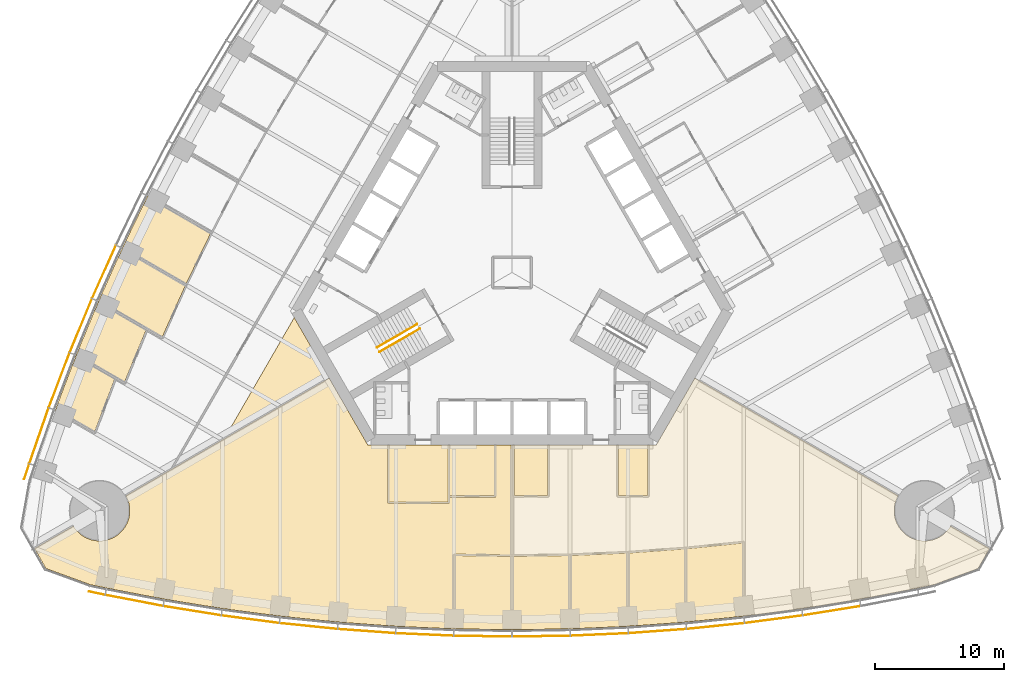
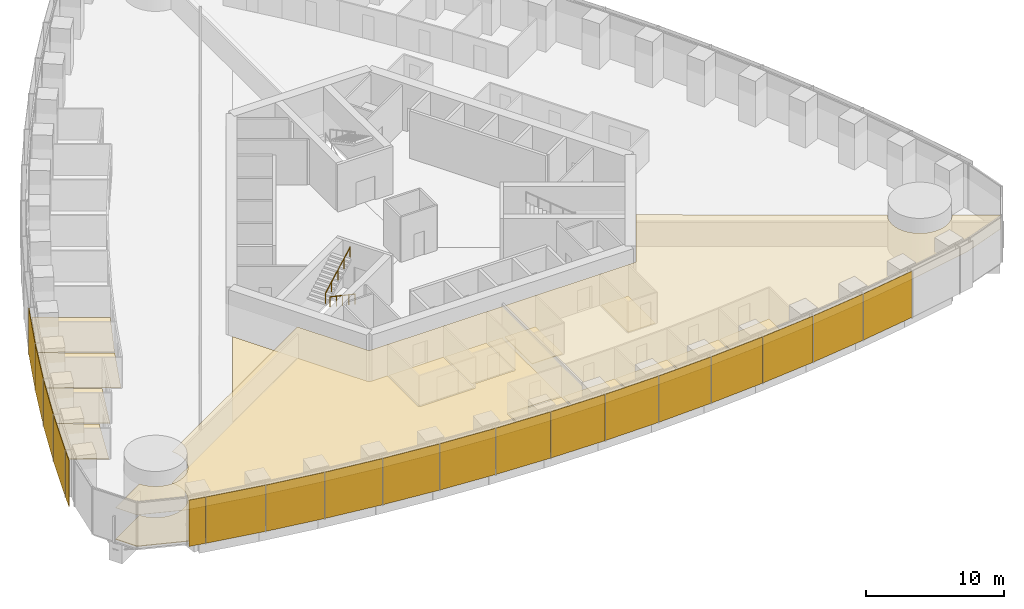
# One storey, part 14 of 18: 19 shading devices, 16 coverings, 2 railings.
"""IFC4 building model written with IfcOpenShell, lengths in metres."""

from ifc_helpers import new_model, si_unit, direction, frame, origin, origin_2d, place, context, subcontext, project, spatial, polyline, rectangle, circle, outline, extrude, material, layer, layer_set, type_object, element, save


model = new_model("IFC4")

# Units and contexts
model_context = context("Model", 3, precision=1e-05, world=origin(), true_north=direction((0.0, 1.0)))
body_context = subcontext(model_context, "Body", "Model", "MODEL_VIEW")
ifc_project = project(units=[si_unit("LENGTHUNIT", "METRE"), si_unit("AREAUNIT", "SQUARE_METRE"), si_unit("VOLUMEUNIT", "CUBIC_METRE"), si_unit("PLANEANGLEUNIT", "RADIAN"), si_unit("MASSUNIT", "GRAM", prefix="KILO")], contexts=[model_context])

# Site, building, storey
site_placement = place(None, origin())
site = spatial("IfcSite", under=ifc_project, at=site_placement, CompositionType="ELEMENT")
building_placement = place(site_placement, origin())
building = spatial("IfcBuilding", under=site, at=building_placement, Name="Trefoil Bronze Tower", CompositionType="ELEMENT")
storey_placement = place(building_placement, frame((0.0, 0.0, 24.89990234375)))
storey = spatial("IfcBuildingStorey", under=building, at=storey_placement, Name="L05", CompositionType="ELEMENT", Elevation=24.89990234375)

# Shading devices
ifc_material_1 = material(Name="Perforated bronze sheet", Category="bronze")
ifc_layer_1 = layer(ifc_material_1, 0.0400390625)
ifc_layer_set_1 = layer_set([ifc_layer_1], Name="Bronze solar screen panel")
shading_device_type = type_object("IfcShadingDeviceType", Name="Bronze solar screen panel", PredefinedType="SHUTTER", material=ifc_layer_set_1)
shading_device_1_placement = place(storey_placement, frame((-32.2431640625, -24.91064453125, 0.050048828125), z_axis=(0.0, 0.0, 1.0), x_axis=(0.978302717041, -0.207180582657, 0.0)))
element("IfcShadingDevice", 1, at=shading_device_1_placement, inside=storey, type_object=shading_device_type, Name="Solar screen CW-A L05 F1 bay 1", PredefinedType="SHUTTER", context=body_context, shape_type="SweptSolid", body=[
    extrude(rectangle(XDim=1.260498046875, YDim=0.0400390625, at=origin_2d()), origin(), (0.0, 0.0, 1.0), 4.10009765625),
])
shading_device_2_placement = place(storey_placement, frame((-29.351806640625, -25.478515625, 0.050048828125), z_axis=(0.0, 0.0, 1.0), x_axis=(0.982049823817, -0.188621694249, 0.0)))
element("IfcShadingDevice", 2, at=shading_device_2_placement, inside=storey, type_object=shading_device_type, Name="Solar screen CW-A L05 F1 bay 2", PredefinedType="SHUTTER", context=body_context, shape_type="SweptSolid", body=[
    extrude(rectangle(XDim=4.55224609375, YDim=0.0400390625, at=origin_2d()), origin(), (0.0, 0.0, 1.0), 4.10009765625),
])
shading_device_3_placement = place(storey_placement, frame((-24.836181640625, -26.277099609375, 0.050048828125), z_axis=(0.0, 0.0, 1.0), x_axis=(0.987181315145, -0.159602791421, 0.0)))
element("IfcShadingDevice", 3, at=shading_device_3_placement, inside=storey, type_object=shading_device_type, Name="Solar screen CW-A L05 F1 bay 3", PredefinedType="SHUTTER", context=body_context, shape_type="SweptSolid", body=[
    extrude(rectangle(XDim=4.5283203125, YDim=0.0400390625, at=origin_2d()), origin(), (0.0, 0.0, 1.0), 4.10009765625),
])
shading_device_4_placement = place(storey_placement, frame((-20.320556640625, -26.939697265625, 0.050048828125), z_axis=(0.0, 0.0, 1.0), x_axis=(0.991437251591, -0.130583981243, 0.0)))
element("IfcShadingDevice", 4, at=shading_device_4_placement, inside=storey, type_object=shading_device_type, Name="Solar screen CW-A L05 F1 bay 4", PredefinedType="SHUTTER", context=body_context, shape_type="SweptSolid", body=[
    extrude(rectangle(XDim=4.5087890625, YDim=0.0400390625, at=origin_2d()), origin(), (0.0, 0.0, 1.0), 4.10009765625),
])
shading_device_5_placement = place(storey_placement, frame((-15.804931640625, -27.467529296875, 0.050048828125), z_axis=(0.0, 0.0, 1.0), x_axis=(0.994828880293, -0.101565244717, 0.0)))
element("IfcShadingDevice", 5, at=shading_device_5_placement, inside=storey, type_object=shading_device_type, Name="Solar screen CW-A L05 F1 bay 5", PredefinedType="SHUTTER", context=body_context, shape_type="SweptSolid", body=[
    extrude(rectangle(XDim=4.493408203125, YDim=0.0400390625, at=origin_2d()), origin(), (0.0, 0.0, 1.0), 4.10009765625),
])
shading_device_6_placement = place(storey_placement, frame((-11.2890625, -27.8623046875, 0.050048828125), z_axis=(0.0, 0.0, 1.0), x_axis=(0.99736502647, -0.072546564177, 0.0)))
element("IfcShadingDevice", 6, at=shading_device_6_placement, inside=storey, type_object=shading_device_type, Name="Solar screen CW-A L05 F1 bay 6", PredefinedType="SHUTTER", context=body_context, shape_type="SweptSolid", body=[
    extrude(rectangle(XDim=4.48193359375, YDim=0.0400390625, at=origin_2d()), origin(), (0.0, 0.0, 1.0), 4.10009765625),
])
shading_device_7_placement = place(storey_placement, frame((-6.7734375, -28.124755859375, 0.050048828125), z_axis=(0.0, 0.0, 1.0), x_axis=(0.999052210809, -0.043527922969, 0.0)))
element("IfcShadingDevice", 7, at=shading_device_7_placement, inside=storey, type_object=shading_device_type, Name="Solar screen CW-A L05 F1 bay 7", PredefinedType="SHUTTER", context=body_context, shape_type="SweptSolid", body=[
    extrude(rectangle(XDim=4.474365234375, YDim=0.0400390625, at=origin_2d()), origin(), (0.0, 0.0, 1.0), 4.10009765625),
])
for number, where, z_axis, x_axis, name in (
    (8, (-2.2578125, -28.256103515625, 0.050048828125), (0.0, 0.0, 1.0), (0.999894734493, -0.014509305083, 0.0), "Solar screen CW-A L05 F1 bay 8"),
    (9, (2.2578125, -28.256103515625, 0.050048828125), (0.0, 0.0, 1.0), (0.999894734493, 0.014509305083, 0.0), "Solar screen CW-A L05 F1 bay 9"),
):
    element("IfcShadingDevice", number, at=place(storey_placement, frame(where, z_axis=z_axis, x_axis=x_axis)), inside=storey, type_object=shading_device_type, Name=name, PredefinedType="SHUTTER", context=body_context, shape_type="SweptSolid", body=[
        extrude(rectangle(XDim=4.470458984375, YDim=0.0400390625, at=origin_2d()), origin(), (0.0, 0.0, 1.0), 4.10009765625),
    ])
shading_device_8_placement = place(storey_placement, frame((6.7734375, -28.124755859375, 0.050048828125), z_axis=(0.0, 0.0, 1.0), x_axis=(0.999052210809, 0.043527922969, 0.0)))
element("IfcShadingDevice", 10, at=shading_device_8_placement, inside=storey, type_object=shading_device_type, Name="Solar screen CW-A L05 F1 bay 10", PredefinedType="SHUTTER", context=body_context, shape_type="SweptSolid", body=[
    extrude(rectangle(XDim=4.474365234375, YDim=0.0400390625, at=origin_2d()), origin(), (0.0, 0.0, 1.0), 4.10009765625),
])
shading_device_9_placement = place(storey_placement, frame((11.2890625, -27.8623046875, 0.050048828125), z_axis=(0.0, 0.0, 1.0), x_axis=(0.99736502647, 0.072546564177, 0.0)))
element("IfcShadingDevice", 11, at=shading_device_9_placement, inside=storey, type_object=shading_device_type, Name="Solar screen CW-A L05 F1 bay 11", PredefinedType="SHUTTER", context=body_context, shape_type="SweptSolid", body=[
    extrude(rectangle(XDim=4.48193359375, YDim=0.0400390625, at=origin_2d()), origin(), (0.0, 0.0, 1.0), 4.10009765625),
])
shading_device_10_placement = place(storey_placement, frame((15.804931640625, -27.467529296875, 0.050048828125), z_axis=(0.0, 0.0, 1.0), x_axis=(0.994828880293, 0.101565244717, 0.0)))
element("IfcShadingDevice", 12, at=shading_device_10_placement, inside=storey, type_object=shading_device_type, Name="Solar screen CW-A L05 F1 bay 12", PredefinedType="SHUTTER", context=body_context, shape_type="SweptSolid", body=[
    extrude(rectangle(XDim=4.493408203125, YDim=0.0400390625, at=origin_2d()), origin(), (0.0, 0.0, 1.0), 4.10009765625),
])
shading_device_11_placement = place(storey_placement, frame((20.320556640625, -26.939697265625, 0.050048828125), z_axis=(0.0, 0.0, 1.0), x_axis=(0.991437251591, 0.130583981243, 0.0)))
element("IfcShadingDevice", 13, at=shading_device_11_placement, inside=storey, type_object=shading_device_type, Name="Solar screen CW-A L05 F1 bay 13", PredefinedType="SHUTTER", context=body_context, shape_type="SweptSolid", body=[
    extrude(rectangle(XDim=4.5087890625, YDim=0.0400390625, at=origin_2d()), origin(), (0.0, 0.0, 1.0), 4.10009765625),
])
shading_device_12_placement = place(storey_placement, frame((24.836181640625, -26.277099609375, 0.050048828125), z_axis=(0.0, 0.0, 1.0), x_axis=(0.987181315145, 0.159602791421, 0.0)))
element("IfcShadingDevice", 14, at=shading_device_12_placement, inside=storey, type_object=shading_device_type, Name="Solar screen CW-A L05 F1 bay 14", PredefinedType="SHUTTER", context=body_context, shape_type="SweptSolid", body=[
    extrude(rectangle(XDim=4.5283203125, YDim=0.0400390625, at=origin_2d()), origin(), (0.0, 0.0, 1.0), 4.10009765625),
])
shading_device_13_placement = place(storey_placement, frame((-31.68994140625, 0.04638671875, 0.050048828125), z_axis=(0.0, 0.0, 1.0), x_axis=(-0.40945635808, -0.912329705111, 0.0)))
element("IfcShadingDevice", 15, at=shading_device_13_placement, inside=storey, type_object=shading_device_type, Name="Solar screen CW-A L05 F3 bay 12", PredefinedType="SHUTTER", context=body_context, shape_type="SweptSolid", body=[
    extrude(rectangle(XDim=4.493408203125, YDim=0.0400390625, at=origin_2d()), origin(), (0.0, 0.0, 1.0), 4.10009765625),
])
shading_device_14_placement = place(storey_placement, frame((-33.49072265625, -4.128173828125, 0.050048828125), z_axis=(0.0, 0.0, 1.0), x_axis=(-0.382629580712, -0.923901836758, 0.0)))
element("IfcShadingDevice", 16, at=shading_device_14_placement, inside=storey, type_object=shading_device_type, Name="Solar screen CW-A L05 F3 bay 13", PredefinedType="SHUTTER", context=body_context, shape_type="SweptSolid", body=[
    extrude(rectangle(XDim=4.5087890625, YDim=0.0400390625, at=origin_2d()), origin(), (0.0, 0.0, 1.0), 4.10009765625),
])
shading_device_15_placement = place(storey_placement, frame((-35.1748046875, -8.3701171875, 0.050048828125), z_axis=(0.0, 0.0, 1.0), x_axis=(-0.355370585687, -0.934725492767, 0.0)))
element("IfcShadingDevice", 17, at=shading_device_15_placement, inside=storey, type_object=shading_device_type, Name="Solar screen CW-A L05 F3 bay 14", PredefinedType="SHUTTER", context=body_context, shape_type="SweptSolid", body=[
    extrude(rectangle(XDim=4.5283203125, YDim=0.0400390625, at=origin_2d()), origin(), (0.0, 0.0, 1.0), 4.10009765625),
])
shading_device_16_placement = place(storey_placement, frame((-36.740966796875, -12.68017578125, 0.050048828125), z_axis=(0.0, 0.0, 1.0), x_axis=(-0.327673732984, -0.944790942332, 0.0)))
element("IfcShadingDevice", 18, at=shading_device_16_placement, inside=storey, type_object=shading_device_type, Name="Solar screen CW-A L05 F3 bay 15", PredefinedType="SHUTTER", context=body_context, shape_type="SweptSolid", body=[
    extrude(rectangle(XDim=4.55224609375, YDim=0.0400390625, at=origin_2d()), origin(), (0.0, 0.0, 1.0), 4.10009765625),
])
shading_device_17_placement = place(storey_placement, frame((-37.69482421875, -15.468017578125, 0.050048828125), z_axis=(0.0, 0.0, 1.0), x_axis=(-0.309727710769, -0.950825296877, 0.0)))
element("IfcShadingDevice", 19, at=shading_device_17_placement, inside=storey, type_object=shading_device_type, Name="Solar screen CW-A L05 F3 bay 16", PredefinedType="SHUTTER", context=body_context, shape_type="SweptSolid", body=[
    extrude(rectangle(XDim=1.260498046875, YDim=0.0400390625, at=origin_2d()), origin(), (0.0, 0.0, 1.0), 4.10009765625),
])

# Railings
ifc_material_2 = material(Name="Steel handrail", Category="steel")
railing_type = type_object("IfcRailingType", Name="Handrail 900", PredefinedType="HANDRAIL", material=ifc_material_2)
railing_1_placement = place(storey_placement, frame((-7.166015625, -4.3681640625, 0.16162109375)))
element("IfcRailing", 20, at=railing_1_placement, inside=storey, type_object=railing_type, Name="Handrail ST3 flight 1 L05", PredefinedType="HANDRAIL", context=body_context, shape_type="SweptSolid", body=[
    extrude(circle(Radius=0.02392578125, at=origin_2d()), frame((0.0, 0.0, 0.8759765625), z_axis=(-0.76250339821, -0.440245697338, 0.474101564745), x_axis=(0.500012057535, -0.866018442252, 0.0)), (0.0, 0.0, 1.0), 4.088623046875),
    extrude(circle(Radius=0.02099609375, at=origin_2d()), origin(), (0.0, 0.0, 1.0), 0.851806640625),
    extrude(circle(Radius=0.02099609375, at=origin_2d()), frame((-0.779296875, -0.449951171875, 0.484619140625)), (0.0, 0.0, 1.0), 0.851806640625),
    extrude(circle(Radius=0.02099609375, at=origin_2d()), frame((-1.558837890625, -0.89990234375, 0.96923828125)), (0.0, 0.0, 1.0), 0.851806640625),
    extrude(circle(Radius=0.02099609375, at=origin_2d()), frame((-2.33837890625, -1.35009765625, 1.453857421875)), (0.0, 0.0, 1.0), 0.851806640625),
    extrude(circle(Radius=0.02099609375, at=origin_2d()), frame((-3.11767578125, -1.800048828125, 1.9384765625)), (0.0, 0.0, 1.0), 0.851806640625),
])
railing_2_placement = place(storey_placement, frame((-10.483642578125, -5.82177734375, 2.26171875)))
element("IfcRailing", 21, at=railing_2_placement, inside=storey, type_object=railing_type, Name="Handrail ST3 flight 2 L05", PredefinedType="HANDRAIL", context=body_context, shape_type="SweptSolid", body=[
    extrude(circle(Radius=0.02392578125, at=origin_2d()), frame((0.0, 0.0, 0.8759765625), z_axis=(0.76250339821, 0.440245697338, 0.474101564745), x_axis=(-0.500012057535, 0.866018442252, 0.0)), (0.0, 0.0, 1.0), 4.088623046875),
    extrude(circle(Radius=0.02099609375, at=origin_2d()), origin(), (0.0, 0.0, 1.0), 0.851806640625),
    extrude(circle(Radius=0.02099609375, at=origin_2d()), frame((0.779296875, 0.449951171875, 0.484619140625)), (0.0, 0.0, 1.0), 0.851806640625),
    extrude(circle(Radius=0.02099609375, at=origin_2d()), frame((1.558837890625, 0.89990234375, 0.96923828125)), (0.0, 0.0, 1.0), 0.851806640625),
    extrude(circle(Radius=0.02099609375, at=origin_2d()), frame((2.33837890625, 1.35009765625, 1.453857421875)), (0.0, 0.0, 1.0), 0.851806640625),
    extrude(circle(Radius=0.02099609375, at=origin_2d()), frame((3.11767578125, 1.800048828125, 1.9384765625)), (0.0, 0.0, 1.0), 0.851806640625),
])

# Coverings
ifc_material_3 = material(Name="Acoustic ceiling panels", Category="mineral fibre")
ifc_layer_2 = layer(ifc_material_3, 0.02001953125)
ifc_layer_set_2 = layer_set([ifc_layer_2], Name="Office ceiling 20")
covering_type_1 = type_object("IfcCoveringType", Name="Office ceiling 20", PredefinedType="CEILING", material=ifc_layer_set_2)
covering_1_placement = place(storey_placement, frame((0.0, 0.0, 2.900146484375)))
element("IfcCovering", 22, at=covering_1_placement, inside=storey, type_object=covering_type_1, Name="Ceiling L05 Open-plan office F1", PredefinedType="CEILING", context=body_context, shape_type="SweptSolid", body=[
    extrude(outline(polyline([(-33.996826171875, -19.8056640625), (-33.930419921875, -19.89990234375), (-33.859619140625, -19.99072265625), (-33.7841796875, -20.078125), (-33.70458984375, -20.16162109375), (-33.62109375, -20.2412109375), (-33.53369140625, -20.316650390625), (-33.44287109375, -20.387451171875), (-33.348388671875, -20.4541015625), (-33.251220703125, -20.515625), (-33.150634765625, -20.572509765625), (-33.047607421875, -20.62451171875), (-32.942138671875, -20.671142578125), (-32.834716796875, -20.712646484375), (-32.72509765625, -20.748779296875), (-32.614013671875, -20.779541015625), (-32.50146484375, -20.8046875), (-32.3876953125, -20.82470703125), (-32.273193359375, -20.838623046875), (-32.158203125, -20.84716796875), (-32.04296875, -20.85009765625), (-31.927490234375, -20.84716796875), (-31.8125, -20.838623046875), (-31.697998046875, -20.82470703125), (-31.58447265625, -20.8046875), (-31.471923828125, -20.779541015625), (-31.36083984375, -20.748779296875), (-31.251220703125, -20.712646484375), (-31.1435546875, -20.671142578125), (-31.0380859375, -20.62451171875), (-30.935302734375, -20.572509765625), (-30.834716796875, -20.515625), (-30.7373046875, -20.4541015625), (-30.64306640625, -20.387451171875), (-30.552001953125, -20.316650390625), (-30.46484375, -20.2412109375), (-30.381103515625, -20.16162109375), (-30.3017578125, -20.078125), (-30.226318359375, -19.99072265625), (-30.155517578125, -19.89990234375), (-30.089111328125, -19.8056640625), (-30.02734375, -19.7080078125), (-29.970458984375, -19.60791015625), (-29.918701171875, -19.5048828125), (-29.871826171875, -19.3994140625), (-29.830322265625, -19.291748046875), (-29.794189453125, -19.18212890625), (-29.763427734375, -19.071044921875), (-29.738037109375, -18.95849609375), (-29.718505859375, -18.8447265625), (-29.704345703125, -18.730224609375), (-29.69580078125, -18.615234375), (-29.69287109375, -18.5), (-29.69580078125, -18.384765625), (-29.704345703125, -18.269775390625), (-29.718505859375, -18.1552734375), (-29.738037109375, -18.04150390625), (-29.763427734375, -17.928955078125), (-29.794189453125, -17.81787109375), (-29.830322265625, -17.708251953125), (-29.871826171875, -17.6005859375), (-29.918701171875, -17.4951171875), (-29.970458984375, -17.39208984375), (-30.001953125, -17.336669921875), (-14.19970703125, -8.205322265625), (-11.20068359375, -13.39990234375), (11.20068359375, -13.39990234375), (14.19970703125, -8.205322265625), (30.001953125, -17.336669921875), (29.970458984375, -17.39208984375), (29.918701171875, -17.4951171875), (29.871826171875, -17.6005859375), (29.830322265625, -17.708251953125), (29.794189453125, -17.81787109375), (29.763427734375, -17.928955078125), (29.738037109375, -18.04150390625), (29.718505859375, -18.1552734375), (29.704345703125, -18.269775390625), (29.69580078125, -18.384765625), (29.69287109375, -18.5), (29.69580078125, -18.615234375), (29.704345703125, -18.730224609375), (29.718505859375, -18.8447265625), (29.738037109375, -18.95849609375), (29.763427734375, -19.071044921875), (29.794189453125, -19.18212890625), (29.830322265625, -19.291748046875), (29.871826171875, -19.3994140625), (29.918701171875, -19.5048828125), (29.970458984375, -19.60791015625), (30.02734375, -19.7080078125), (30.089111328125, -19.8056640625), (30.155517578125, -19.89990234375), (30.226318359375, -19.99072265625), (30.3017578125, -20.078125), (30.381103515625, -20.16162109375), (30.46484375, -20.2412109375), (30.552001953125, -20.316650390625), (30.64306640625, -20.387451171875), (30.7373046875, -20.4541015625), (30.834716796875, -20.515625), (30.935302734375, -20.572509765625), (31.0380859375, -20.62451171875), (31.1435546875, -20.671142578125), (31.251220703125, -20.712646484375), (31.36083984375, -20.748779296875), (31.471923828125, -20.779541015625), (31.58447265625, -20.8046875), (31.697998046875, -20.82470703125), (31.8125, -20.838623046875), (31.927490234375, -20.84716796875), (32.04296875, -20.85009765625), (32.158203125, -20.84716796875), (32.273193359375, -20.838623046875), (32.3876953125, -20.82470703125), (32.50146484375, -20.8046875), (32.614013671875, -20.779541015625), (32.72509765625, -20.748779296875), (32.834716796875, -20.712646484375), (32.942138671875, -20.671142578125), (33.047607421875, -20.62451171875), (33.150634765625, -20.572509765625), (33.251220703125, -20.515625), (33.348388671875, -20.4541015625), (33.44287109375, -20.387451171875), (33.53369140625, -20.316650390625), (33.62109375, -20.2412109375), (33.70458984375, -20.16162109375), (33.7841796875, -20.078125), (33.859619140625, -19.99072265625), (33.930419921875, -19.89990234375), (33.996826171875, -19.8056640625), (34.0703125, -19.6875), (37.094482421875, -21.43505859375), (36.190673828125, -23.0009765625), (32.762451171875, -24.248779296875), (31.5, -24.51611328125), (27.0, -25.38037109375), (22.5, -26.10791015625), (18.0, -26.70068359375), (13.5, -27.159912109375), (9.0, -27.4873046875), (4.5, -27.683349609375), (0.0, -27.748779296875), (-4.5, -27.683349609375), (-9.0, -27.4873046875), (-13.5, -27.159912109375), (-18.0, -26.70068359375), (-22.5, -26.10791015625), (-27.0, -25.38037109375), (-31.5, -24.51611328125), (-32.762451171875, -24.248779296875), (-36.190673828125, -23.0009765625), (-37.094482421875, -21.43505859375), (-34.0703125, -19.6875), (-33.996826171875, -19.8056640625)])), origin(), (0.0, 0.0, 1.0), 0.02001953125),
])
ifc_material_4 = material(Name="Raised access floor panels", Category="steel")
ifc_layer_3 = layer(ifc_material_4, 0.050048828125)
ifc_layer_set_3 = layer_set([ifc_layer_3], Name="Raised access floor 150")
covering_type_2 = type_object("IfcCoveringType", Name="Raised access floor 150", PredefinedType="FLOORING", material=ifc_layer_set_3)
covering_2_placement = place(storey_placement, frame((0.0, 0.0, 0.10009765625)))
element("IfcCovering", 23, at=covering_2_placement, inside=storey, type_object=covering_type_2, Name="Raised floor L05 Reception F1", PredefinedType="FLOORING", context=body_context, shape_type="SweptSolid", body=[
    extrude(outline(polyline([(-4.9599609375, -13.39990234375), (-4.9599609375, -17.840087890625), (-9.5400390625, -17.840087890625), (-9.5400390625, -13.39990234375), (-4.9599609375, -13.39990234375)])), origin(), (0.0, 0.0, 1.0), 0.050048828125),
])
covering_3_placement = place(storey_placement, frame((0.0, 0.0, 0.10009765625)))
element("IfcCovering", 24, at=covering_3_placement, inside=storey, type_object=covering_type_2, Name="Raised floor L05 Meeting room F1", PredefinedType="FLOORING", context=body_context, shape_type="SweptSolid", body=[
    extrude(outline(polyline([(-1.360107421875, -13.39990234375), (-1.360107421875, -17.340087890625), (-4.840087890625, -17.340087890625), (-4.840087890625, -13.39990234375), (-1.360107421875, -13.39990234375)])), origin(), (0.0, 0.0, 1.0), 0.050048828125),
])
covering_4_placement = place(storey_placement, frame((0.0, 0.0, 0.10009765625)))
element("IfcCovering", 25, at=covering_4_placement, inside=storey, type_object=covering_type_2, Name="Raised floor L05 Pantry F1", PredefinedType="FLOORING", context=body_context, shape_type="SweptSolid", body=[
    extrude(outline(polyline([(2.764892578125, -13.39990234375), (2.764892578125, -17.340087890625), (0.18505859375, -17.340087890625), (0.18505859375, -13.39990234375), (2.764892578125, -13.39990234375)])), origin(), (0.0, 0.0, 1.0), 0.050048828125),
])
covering_5_placement = place(storey_placement, frame((0.0, 0.0, 0.10009765625)))
element("IfcCovering", 26, at=covering_5_placement, inside=storey, type_object=covering_type_2, Name="Raised floor L05 Comms room F1", PredefinedType="FLOORING", context=body_context, shape_type="SweptSolid", body=[
    extrude(outline(polyline([(10.5400390625, -13.39990234375), (10.5400390625, -17.340087890625), (8.260009765625, -17.340087890625), (8.260009765625, -13.39990234375), (10.5400390625, -13.39990234375)])), origin(), (0.0, 0.0, 1.0), 0.050048828125),
])
covering_6_placement = place(storey_placement, frame((0.0, 0.0, 0.10009765625)))
element("IfcCovering", 27, at=covering_6_placement, inside=storey, type_object=covering_type_2, Name="Raised floor L05 Office F1", PredefinedType="FLOORING", context=body_context, shape_type="SweptSolid", body=[
    extrude(outline(polyline([(0.0, -27.748779296875), (-4.5, -27.683349609375), (-4.5, -26.102783203125), (-4.43994140625, -26.102783203125), (-4.43994140625, -21.994384765625), (-0.074951171875, -22.0576171875), (-0.074951171875, -26.168701171875), (0.0, -26.168701171875), (0.0, -27.748779296875)])), origin(), (0.0, 0.0, 1.0), 0.050048828125),
])
covering_7_placement = place(storey_placement, frame((0.0, 0.0, 0.10009765625)))
element("IfcCovering", 28, at=covering_7_placement, inside=storey, type_object=covering_type_2, Name="Raised floor L05 Office F1", PredefinedType="FLOORING", context=body_context, shape_type="SweptSolid", body=[
    extrude(outline(polyline([(4.5, -27.683349609375), (0.0, -27.748779296875), (0.0, -26.168701171875), (0.074951171875, -26.168701171875), (0.074951171875, -22.0576171875), (4.43994140625, -21.994384765625), (4.43994140625, -26.102783203125), (4.5, -26.102783203125), (4.5, -27.683349609375)])), origin(), (0.0, 0.0, 1.0), 0.050048828125),
])
covering_8_placement = place(storey_placement, frame((0.0, 0.0, 0.10009765625)))
element("IfcCovering", 29, at=covering_8_placement, inside=storey, type_object=covering_type_2, Name="Raised floor L05 Office F1", PredefinedType="FLOORING", context=body_context, shape_type="SweptSolid", body=[
    extrude(outline(polyline([(9.0, -27.4873046875), (4.5, -27.683349609375), (4.5, -26.102783203125), (4.56005859375, -26.102783203125), (4.56005859375, -21.990966796875), (8.93994140625, -21.800048828125), (8.93994140625, -25.90478515625), (9.0, -25.90478515625), (9.0, -27.4873046875)])), origin(), (0.0, 0.0, 1.0), 0.050048828125),
])
covering_9_placement = place(storey_placement, frame((0.0, 0.0, 0.10009765625)))
element("IfcCovering", 30, at=covering_9_placement, inside=storey, type_object=covering_type_2, Name="Raised floor L05 Office F1", PredefinedType="FLOORING", context=body_context, shape_type="SweptSolid", body=[
    extrude(outline(polyline([(13.5, -27.159912109375), (9.0, -27.4873046875), (9.0, -25.90478515625), (9.06005859375, -25.90478515625), (9.06005859375, -21.793212890625), (13.43994140625, -21.474609375), (13.43994140625, -25.573974609375), (13.5, -25.573974609375), (13.5, -27.159912109375)])), origin(), (0.0, 0.0, 1.0), 0.050048828125),
])
covering_10_placement = place(storey_placement, frame((0.0, 0.0, 0.10009765625)))
element("IfcCovering", 31, at=covering_10_placement, inside=storey, type_object=covering_type_2, Name="Raised floor L05 Meeting room F1", PredefinedType="FLOORING", context=body_context, shape_type="SweptSolid", body=[
    extrude(outline(polyline([(18.0, -26.70068359375), (13.5, -27.159912109375), (13.5, -25.573974609375), (13.56005859375, -25.573974609375), (13.56005859375, -21.464111328125), (17.93994140625, -21.01708984375), (17.93994140625, -25.10986328125), (18.0, -25.10986328125), (18.0, -26.70068359375)])), origin(), (0.0, 0.0, 1.0), 0.050048828125),
])
covering_11_placement = place(storey_placement, frame((0.0, 0.0, 0.10009765625)))
element("IfcCovering", 32, at=covering_11_placement, inside=storey, type_object=covering_type_2, Name="Raised floor L05 Open-plan office F1", PredefinedType="FLOORING", context=body_context, shape_type="SweptSolid", body=[
    extrude(outline(polyline([(-30.001953125, -17.336669921875), (-14.19970703125, -8.205322265625), (-11.20068359375, -13.39990234375), (-9.659912109375, -13.39990234375), (-9.659912109375, -17.89990234375), (-9.60009765625, -17.89990234375), (-9.60009765625, -17.9599609375), (-4.89990234375, -17.9599609375), (-4.89990234375, -17.89990234375), (-4.840087890625, -17.89990234375), (-4.840087890625, -17.4599609375), (-1.300048828125, -17.4599609375), (-1.300048828125, -17.39990234375), (-1.239990234375, -17.39990234375), (-1.239990234375, -13.39990234375), (-0.0009765625, -13.39990234375), (-0.0009765625, -13.409912109375), (-0.074951171875, -13.409912109375), (-0.074951171875, -21.9375), (-4.4990234375, -21.873291015625), (-4.5, -21.933349609375), (-4.56005859375, -21.933349609375), (-4.56005859375, -26.102783203125), (-4.5, -26.102783203125), (-4.5, -27.683349609375), (-9.0, -27.4873046875), (-13.5, -27.159912109375), (-18.0, -26.70068359375), (-22.5, -26.10791015625), (-27.0, -25.38037109375), (-31.5, -24.51611328125), (-32.762451171875, -24.248779296875), (-36.190673828125, -23.0009765625), (-37.094482421875, -21.43505859375), (-34.0703125, -19.6875), (-33.996826171875, -19.8056640625), (-33.930419921875, -19.89990234375), (-33.859619140625, -19.99072265625), (-33.7841796875, -20.078125), (-33.70458984375, -20.16162109375), (-33.62109375, -20.2412109375), (-33.53369140625, -20.316650390625), (-33.44287109375, -20.387451171875), (-33.348388671875, -20.4541015625), (-33.251220703125, -20.515625), (-33.150634765625, -20.572509765625), (-33.047607421875, -20.62451171875), (-32.942138671875, -20.671142578125), (-32.834716796875, -20.712646484375), (-32.72509765625, -20.748779296875), (-32.614013671875, -20.779541015625), (-32.50146484375, -20.8046875), (-32.3876953125, -20.82470703125), (-32.273193359375, -20.838623046875), (-32.158203125, -20.84716796875), (-32.04296875, -20.85009765625), (-31.927490234375, -20.84716796875), (-31.8125, -20.838623046875), (-31.697998046875, -20.82470703125), (-31.58447265625, -20.8046875), (-31.471923828125, -20.779541015625), (-31.36083984375, -20.748779296875), (-31.251220703125, -20.712646484375), (-31.1435546875, -20.671142578125), (-31.0380859375, -20.62451171875), (-30.935302734375, -20.572509765625), (-30.834716796875, -20.515625), (-30.7373046875, -20.4541015625), (-30.64306640625, -20.387451171875), (-30.552001953125, -20.316650390625), (-30.46484375, -20.2412109375), (-30.381103515625, -20.16162109375), (-30.3017578125, -20.078125), (-30.226318359375, -19.99072265625), (-30.155517578125, -19.89990234375), (-30.089111328125, -19.8056640625), (-30.02734375, -19.7080078125), (-29.970458984375, -19.60791015625), (-29.918701171875, -19.5048828125), (-29.871826171875, -19.3994140625), (-29.830322265625, -19.291748046875), (-29.794189453125, -19.18212890625), (-29.763427734375, -19.071044921875), (-29.738037109375, -18.95849609375), (-29.718505859375, -18.8447265625), (-29.704345703125, -18.730224609375), (-29.69580078125, -18.615234375), (-29.69287109375, -18.5), (-29.69580078125, -18.384765625), (-29.704345703125, -18.269775390625), (-29.718505859375, -18.1552734375), (-29.738037109375, -18.04150390625), (-29.763427734375, -17.928955078125), (-29.794189453125, -17.81787109375), (-29.830322265625, -17.708251953125), (-29.871826171875, -17.6005859375), (-29.918701171875, -17.4951171875), (-29.970458984375, -17.39208984375), (-30.001953125, -17.336669921875)])), origin(), (0.0, 0.0, 1.0), 0.050048828125),
])
covering_12_placement = place(storey_placement, frame((0.0, 0.0, 0.10009765625)))
element("IfcCovering", 33, at=covering_12_placement, inside=storey, type_object=covering_type_2, Name="Raised floor L05 Meeting room F3", PredefinedType="FLOORING", context=body_context, shape_type="SweptSolid", body=[
    extrude(outline(polyline([(-30.271240234375, 1.888671875), (-28.3046875, 5.949462890625), (-26.93408203125, 5.158203125), (-26.964111328125, 5.106201171875), (-23.4033203125, 3.05029296875), (-25.3173828125, -0.902099609375), (-28.867919921875, 1.147705078125), (-28.897705078125, 1.095703125), (-30.271240234375, 1.888671875)])), origin(), (0.0, 0.0, 1.0), 0.050048828125),
])
covering_13_placement = place(storey_placement, frame((0.0, 0.0, 0.10009765625)))
element("IfcCovering", 34, at=covering_13_placement, inside=storey, type_object=covering_type_2, Name="Raised floor L05 Meeting room F3", PredefinedType="FLOORING", context=body_context, shape_type="SweptSolid", body=[
    extrude(outline(polyline([(-30.271240234375, 1.888671875), (-28.897705078125, 1.095703125), (-28.927734375, 1.043701171875), (-25.36865234375, -1.01123046875), (-27.17138671875, -5.028076171875), (-30.7158203125, -2.9814453125), (-30.745849609375, -3.033447265625), (-32.123291015625, -2.23828125), (-30.271240234375, 1.888671875)])), origin(), (0.0, 0.0, 1.0), 0.050048828125),
])
covering_14_placement = place(storey_placement, frame((0.0, 0.0, 0.10009765625)))
element("IfcCovering", 35, at=covering_14_placement, inside=storey, type_object=covering_type_2, Name="Raised floor L05 Pantry F3", PredefinedType="FLOORING", context=body_context, shape_type="SweptSolid", body=[
    extrude(outline(polyline([(-33.860107421875, -6.431640625), (-32.123291015625, -2.23828125), (-30.745849609375, -3.033447265625), (-30.77587890625, -3.08544921875), (-28.414306640625, -4.44873046875), (-30.104736328125, -8.530517578125), (-32.447265625, -7.177978515625), (-32.477294921875, -7.22998046875), (-33.860107421875, -6.431640625)])), origin(), (0.0, 0.0, 1.0), 0.050048828125),
])
covering_15_placement = place(storey_placement, frame((0.0, 0.0, 0.10009765625)))
element("IfcCovering", 36, at=covering_15_placement, inside=storey, type_object=covering_type_2, Name="Raised floor L05 Comms room F3", PredefinedType="FLOORING", context=body_context, shape_type="SweptSolid", body=[
    extrude(outline(polyline([(-35.47998046875, -10.6923828125), (-33.860107421875, -6.431640625), (-32.477294921875, -7.22998046875), (-32.507080078125, -7.281982421875), (-30.846923828125, -8.240478515625), (-32.423583984375, -12.3876953125), (-34.060546875, -11.442626953125), (-34.090576171875, -11.49462890625), (-35.47998046875, -10.6923828125)])), origin(), (0.0, 0.0, 1.0), 0.050048828125),
])
covering_16_placement = place(storey_placement, frame((0.0, 0.0, 0.10009765625)))
element("IfcCovering", 37, at=covering_16_placement, inside=storey, type_object=covering_type_2, Name="Raised floor L05 Open-plan office F3", PredefinedType="FLOORING", context=body_context, shape_type="SweptSolid", body=[
    extrude(outline(polyline([(-14.205810546875, -8.194580078125), (-22.333740234375, -12.88330078125), (-16.91650390625, -3.5), (-14.205810546875, -8.194580078125)])), origin(), (0.0, 0.0, 1.0), 0.050048828125),
])

save(model, "model.ifc")
